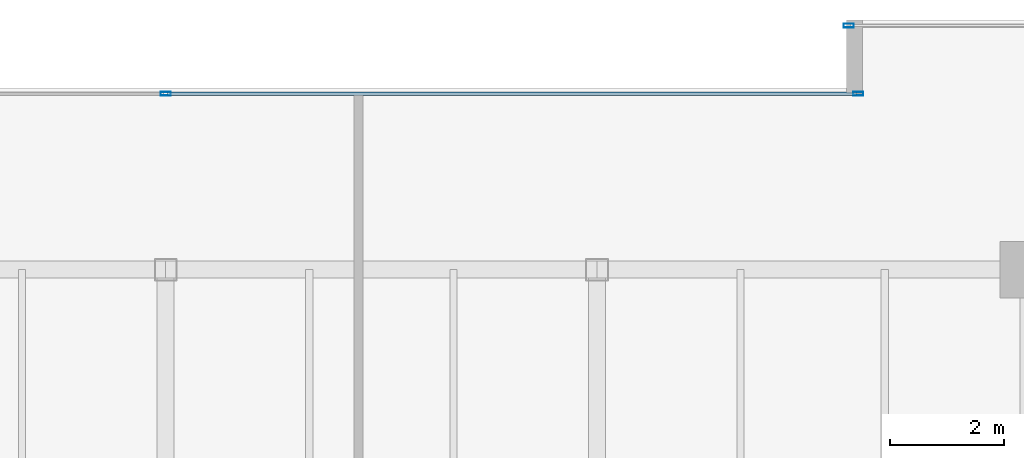
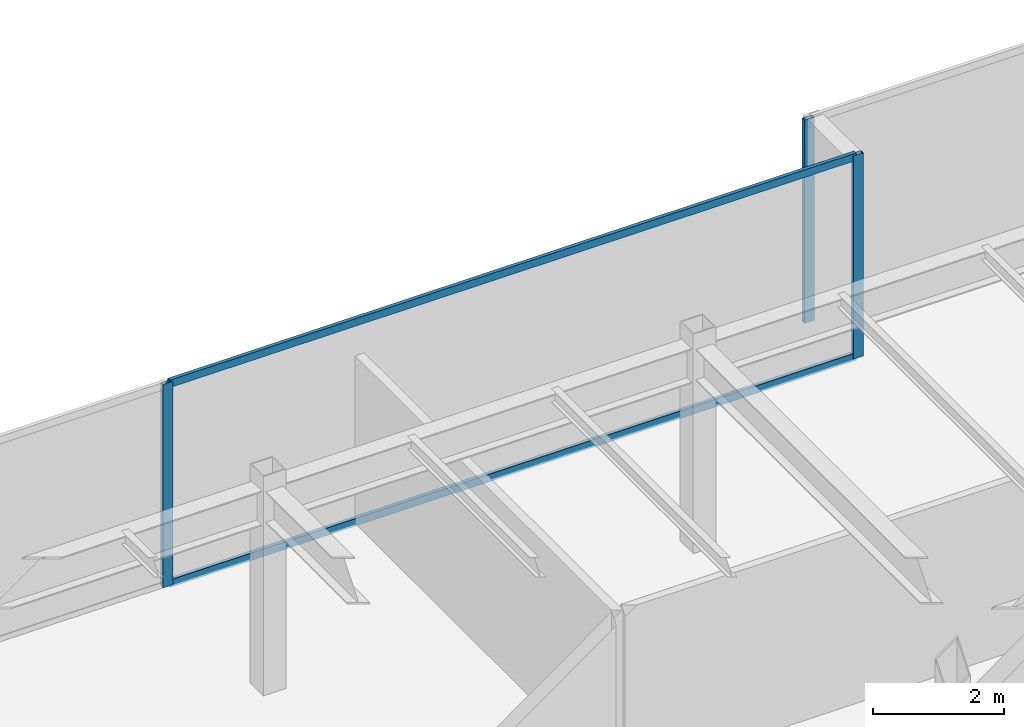
# One storey, part 19 of 33: 5 members, 2 elements without a shape of their own.
"""IFC4 building model written with IfcOpenShell, lengths in metres."""

from ifc_helpers import new_model, si_unit, direction, frame, origin, origin_2d, place, context, subcontext, project, spatial, hollow_rectangle, extrude, source, transform, mapped, material, layer, layer_set, material_profile, profile_set, type_object, type_shapes, element, aggregate, save


model = new_model("IFC4")

# Units and contexts
model_context = context("Model", 3, precision=1e-05, world=origin(), true_north=direction((0.0, 1.0)))
body_context = subcontext(model_context, "Body", "Model", "MODEL_VIEW")
ifc_project = project(units=[si_unit("LENGTHUNIT", "METRE"), si_unit("AREAUNIT", "SQUARE_METRE"), si_unit("VOLUMEUNIT", "CUBIC_METRE"), si_unit("PLANEANGLEUNIT", "RADIAN"), si_unit("MASSUNIT", "GRAM", prefix="KILO")], contexts=[model_context])

# Site, building, storey
site_placement = place(None, origin())
site = spatial("IfcSite", under=ifc_project, at=site_placement, CompositionType="ELEMENT")
building_placement = place(site_placement, origin())
building = spatial("IfcBuilding", under=site, at=building_placement, Name="Haelvirn Gate Laboratories", CompositionType="ELEMENT")
storey_placement = place(building_placement, frame((0.0, 0.0, 279.300048828125)))
storey = spatial("IfcBuildingStorey", under=building, at=storey_placement, Name="L67", CompositionType="ELEMENT", Elevation=279.300048828125)

# Curtain wall, members
ifc_material_1 = material(Name="Anodised bronze unitised aluminium & triple low-E glass", Category="aluminium")
ifc_layer = layer(ifc_material_1, 0.176025390625, Name="CW-SYS-4")
ifc_layer_set = layer_set([ifc_layer], Name="Anodised bronze unitised aluminium & triple low-E glass")
curtain_wall_type = type_object("IfcCurtainWallType", Name="CW-SYS-4", PredefinedType="NOTDEFINED", material=ifc_layer_set)
curtain_wall_1_placement = place(storey_placement, origin())
curtain_wall_1 = element("IfcCurtainWall", 1, at=curtain_wall_1_placement, inside=storey, type_object=curtain_wall_type, Name="L67 Unitised Curtain Wall CW-L67-P0-E12-1", PredefinedType="NOTDEFINED")
ifc_material_2 = material(Name="Extruded aluminium 6063-T6 (anodised bronze)", Category="aluminium")
ifc_material_profile_1 = material_profile(ifc_material_2, hollow_rectangle(XDim=0.06494140625, YDim=0.139892578125, WallThickness=0.00390625, at=origin_2d()), Name="CWT-140x65x4")
ifc_profile_set_1 = profile_set([ifc_material_profile_1], Name="Extruded aluminium 6063-T6 (anodised bronze)")
member_type_1 = type_object("IfcMemberType", Name="CWT-T140", PredefinedType="USERDEFINED", material=ifc_profile_set_1)
shared_shape_1 = source(origin(), body_context, "Body", "SweptSolid", [
    extrude(hollow_rectangle(XDim=0.06494140625, YDim=0.139892578125, WallThickness=0.00390625, at=origin_2d()), origin(), (0.0, 0.0, 1.0), 12.135009765625),
])
type_shapes(member_type_1, [shared_shape_1])
member_1_placement = place(storey_placement, frame((37.43505859375, 44.699951171875, 0.032470703125), z_axis=(1.0, 0.0, 0.0), x_axis=(0.0, 1.0, 0.0)))
member_1 = element("IfcMember", 2, at=member_1_placement, type_object=member_type_1, Name="CW4 transom 2.1", ObjectType="TRANSOM", PredefinedType="USERDEFINED", context=body_context, shape_type="MappedRepresentation", body=[
    mapped(shared_shape_1, transform((0.0, 0.0, 0.0), scale=1.0)),
])
member_2_placement = place(storey_placement, frame((37.43505859375, 44.699951171875, 3.767333984375), z_axis=(1.0, 0.0, 0.0), x_axis=(0.0, 1.0, 0.0)))
member_2 = element("IfcMember", 3, at=member_2_placement, type_object=member_type_1, Name="CW4 transom 2.2", ObjectType="TRANSOM", PredefinedType="USERDEFINED", context=body_context, shape_type="MappedRepresentation", body=[
    mapped(shared_shape_1, transform((0.0, 0.0, 0.0), scale=1.0)),
])

# Curtain wall, member
curtain_wall_2_placement = place(storey_placement, origin())
curtain_wall_2 = element("IfcCurtainWall", 4, at=curtain_wall_2_placement, inside=storey, type_object=curtain_wall_type, Name="L67 Unitised Curtain Wall CW-L67-P0-E10-1", PredefinedType="NOTDEFINED")
ifc_material_profile_2 = material_profile(ifc_material_2, hollow_rectangle(XDim=0.070068359375, YDim=0.179931640625, WallThickness=0.0048828125, at=origin_2d()), Name="CWM-180x70x5")
ifc_profile_set_2 = profile_set([ifc_material_profile_2], Name="Extruded aluminium 6063-T6 (anodised bronze)")
member_type_2 = type_object("IfcMemberType", Name="CWM-T180", PredefinedType="MULLION", material=ifc_profile_set_2)
shared_shape_2 = source(origin(), body_context, "Body", "SweptSolid", [
    extrude(hollow_rectangle(XDim=0.070068359375, YDim=0.179931640625, WallThickness=0.0048828125, at=origin_2d()), origin(), (0.0, 0.0, 1.0), 3.800048828125),
])
type_shapes(member_type_2, [shared_shape_2])
member_3_placement = place(storey_placement, frame((49.43505859375, 45.89990234375, 0.0), z_axis=(0.0, 0.0, 1.0), x_axis=(0.0, 1.0, 0.0)))
member_3 = element("IfcMember", 5, at=member_3_placement, type_object=member_type_2, Name="CW4 mullion 1", PredefinedType="MULLION", context=body_context, shape_type="MappedRepresentation", body=[
    mapped(shared_shape_2, transform((0.0, 0.0, 0.0), scale=1.0)),
])
aggregate(curtain_wall_2, [member_3])

# Member
member_4_placement = place(storey_placement, frame((37.39990234375, 44.699951171875, 0.0), z_axis=(0.0, 0.0, 1.0), x_axis=(0.0, 1.0, 0.0)))
member_4 = element("IfcMember", 6, at=member_4_placement, type_object=member_type_2, Name="CW4 mullion 2", PredefinedType="MULLION", context=body_context, shape_type="MappedRepresentation", body=[
    mapped(shared_shape_2, transform((0.0, 0.0, 0.0), scale=1.0)),
])

member_5_placement = place(storey_placement, frame((49.60498046875, 44.699951171875, 0.0), z_axis=(0.0, 0.0, 1.0), x_axis=(0.0, 1.0, 0.0)))
member_5 = element("IfcMember", 7, at=member_5_placement, type_object=member_type_2, Name="CW4 mullion 3", PredefinedType="MULLION", context=body_context, shape_type="MappedRepresentation", body=[
    mapped(shared_shape_2, transform((0.0, 0.0, 0.0), scale=1.0)),
])

aggregate(curtain_wall_1, [member_4, member_5, member_1, member_2])

save(model, "model.ifc")
